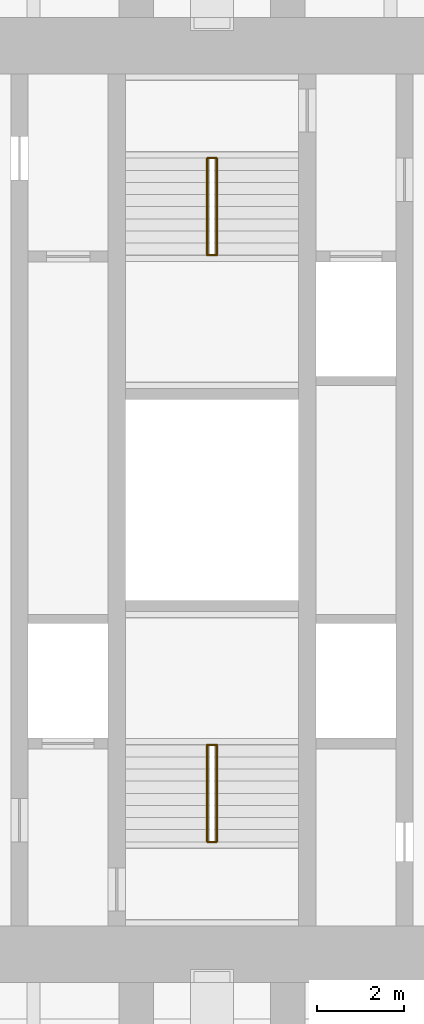
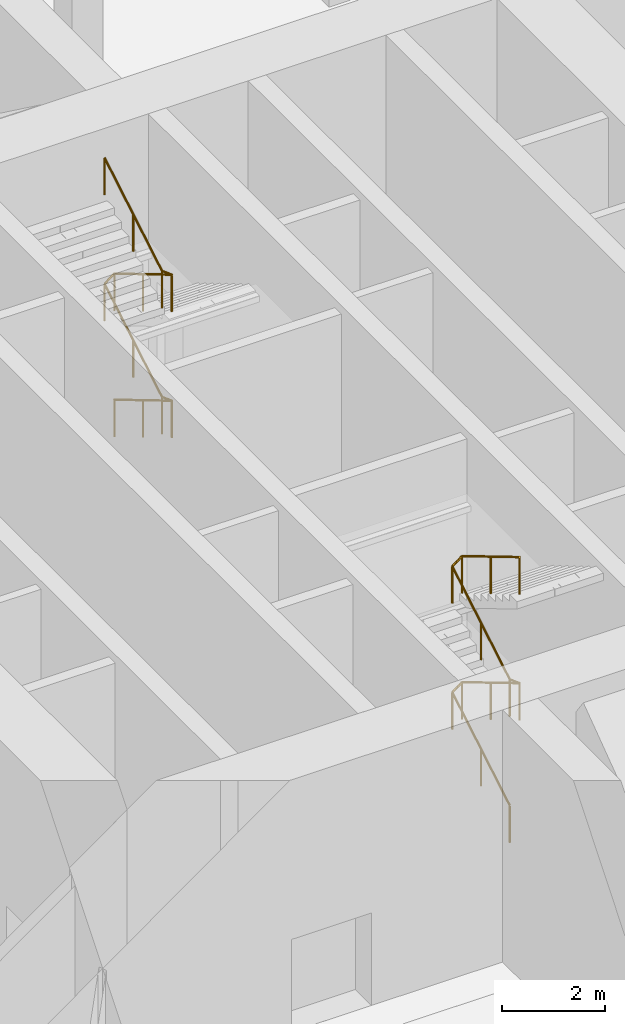
# One storey, part 19 of 19: 2 railings.
"""IFC4 building model written with IfcOpenShell, lengths in metres."""

import ifcopenshell
import ifcopenshell.guid

model = None  # the IFC model being written
_history = None  # IfcOwnerHistory: only IFC2X3 demands one
_inside = {}  # id of a spatial element -> (the spatial element, [elements in it])
_under = {}  # id of a project, library or spatial element -> (it, [spatial elements below it])
_declared = {}  # id of a project -> (the project, [libraries it declares])
_typed = {}  # id of a type object -> (the type object, [elements of that type])
_made_of = {}  # id of a material, layer set ... -> (it, [elements and type objects made of it])


def new_model(schema):
    """Start an empty IFC model of exactly this schema.

    Asked for "IFC4X3", IfcOpenShell would pick the latest addendum, in which some entities
    have other attributes; the version numbers below select the first issue.
    IFC2X3 requires an IfcOwnerHistory on every rooted entity: one is made here for all.
    """
    global model, _history
    if schema == "IFC4X3":
        model = ifcopenshell.file(schema_version=(4, 3, 0, 0))
    else:
        model = ifcopenshell.file(schema=schema)
    _inside.clear()
    _under.clear()
    _declared.clear()
    _typed.clear()
    _made_of.clear()
    _history = None
    if model.schema == "IFC2X3":
        org = make("IfcOrganization", Name="unknown")
        user = make(
            "IfcPersonAndOrganization",
            ThePerson=make("IfcPerson", FamilyName="unknown"),
            TheOrganization=org,
        )
        app = make(
            "IfcApplication",
            ApplicationDeveloper=org,
            Version="unknown",
            ApplicationFullName="unknown",
            ApplicationIdentifier="unknown",
        )
        _history = make(
            "IfcOwnerHistory",
            OwningUser=user,
            OwningApplication=app,
            ChangeAction="ADDED",
            CreationDate=0,
        )
    return model


def make(cls, **values):
    """One entity of the class cls with the attributes given. An attribute that is None is left unset."""
    return model.create_entity(
        cls, **{name: value for name, value in values.items() if value is not None}
    )


def rooted(cls, **values):
    """An entity with a GlobalId (a new one), such as an element, a storey or a relation."""
    return make(cls, GlobalId=ifcopenshell.guid.new(), OwnerHistory=_history, **values)


def si_unit(unit_type, name, prefix=None):
    """IfcSIUnit, for example si_unit("LENGTHUNIT", "METRE", prefix="MILLI")."""
    return make("IfcSIUnit", UnitType=unit_type, Prefix=prefix, Name=name)


def assignment(units):
    """IfcUnitAssignment: the units of a project."""
    return None if units is None else make("IfcUnitAssignment", Units=units)


def point(xyz):
    """IfcCartesianPoint."""
    return None if xyz is None else make("IfcCartesianPoint", Coordinates=xyz)


def direction(xyz):
    """IfcDirection."""
    return None if xyz is None else make("IfcDirection", DirectionRatios=xyz)


def frame(location, z_axis=None, x_axis=None):
    """IfcAxis2Placement3D, a coordinate frame: its origin and axes. An axis left out is left unset."""
    return make(
        "IfcAxis2Placement3D",
        Location=point(location),
        Axis=direction(z_axis),
        RefDirection=direction(x_axis),
    )


def frame_2d(location, x_axis=None):
    """IfcAxis2Placement2D, a coordinate frame in the plane: its origin and x axis."""
    return make(
        "IfcAxis2Placement2D", Location=point(location), RefDirection=direction(x_axis)
    )


def origin():
    """The frame at (0, 0, 0) with its axes left unset."""
    return frame((0.0, 0.0, 0.0))


def origin_2d():
    """The frame at (0, 0) in the plane with its x axis left unset."""
    return frame_2d((0.0, 0.0))


def place(relative_to, where):
    """IfcLocalPlacement: puts the frame where relative to a parent placement (None: the world)."""
    return make(
        "IfcLocalPlacement", PlacementRelTo=relative_to, RelativePlacement=where
    )


def context(
    kind, dimensions, precision=None, world=None, true_north=None, identifier=None
):
    """IfcGeometricRepresentationContext, for example the 3D "Model" context."""
    return make(
        "IfcGeometricRepresentationContext",
        ContextIdentifier=identifier,
        ContextType=kind,
        CoordinateSpaceDimension=dimensions,
        Precision=precision,
        WorldCoordinateSystem=world,
        TrueNorth=true_north,
    )


def subcontext(parent, identifier, kind, view, scale=None):
    """IfcGeometricRepresentationSubContext, for example "Body" below "Model"."""
    return make(
        "IfcGeometricRepresentationSubContext",
        ContextIdentifier=identifier,
        ContextType=kind,
        ParentContext=parent,
        TargetScale=scale,
        TargetView=view,
    )


def project(units=None, contexts=None):
    """IfcProject with its units and contexts."""
    return rooted(
        "IfcProject",
        Name="project",
        RepresentationContexts=contexts,
        UnitsInContext=assignment(units),
    )


def spatial(cls, under=None, at=None, **own):
    """A site, building, storey or space (cls), placed at a placement, below another one or the project."""
    s = rooted(cls, ObjectPlacement=at, **own)
    if under is not None:
        _under.setdefault(under.id(), (under, []))[1].append(s)
    return s


def profile(cls, at=None, kind="AREA", **sizes):
    """A parametric profile (cls). Its sizes go by their IFC names, for example OverallWidth=200.0."""
    return make(cls, ProfileType=kind, Position=at, **sizes)


def circle(**sizes):
    """IfcCircleProfileDef."""
    return profile("IfcCircleProfileDef", **sizes)


def extrude(swept, where, along, depth):
    """IfcExtrudedAreaSolid: the profile swept, set in the frame where, extruded along a direction by depth."""
    return make(
        "IfcExtrudedAreaSolid",
        SweptArea=swept,
        Position=where,
        ExtrudedDirection=direction(along),
        Depth=depth,
    )


def shape(context_of_items, identifier, shape_type, items):
    """IfcShapeRepresentation: the items that make up one representation, for example the "Body"."""
    return make(
        "IfcShapeRepresentation",
        ContextOfItems=context_of_items,
        RepresentationIdentifier=identifier,
        RepresentationType=shape_type,
        Items=items,
    )


def material(Name=None, Category=None):
    """IfcMaterial."""
    return make("IfcMaterial", Name=Name, Category=Category)


def made_of(thing, what):
    """Note that an element or type object is made of a material, layer set ...; save() writes the relation."""
    if what is not None:
        _made_of.setdefault(what.id(), (what, []))[1].append(thing)
    return thing


def type_object(cls, material=None, **own):
    """A type object (cls), such as IfcWallType, which elements share."""
    return made_of(rooted(cls, **own), material)


def element(
    cls,
    number,
    at=None,
    inside=None,
    cuts=None,
    type_object=None,
    material=None,
    context=None,
    identifier="Body",
    shape_type=None,
    held_by="IfcProductDefinitionShape",
    body=None,
    shapes=None,
    **own,
):
    """One element of the class cls, such as IfcWall. Its Tag is "e" and its number.

    at: its placement. inside: the storey or other place that contains it. cuts: it is an
    opening in that element (IfcRelVoidsElement). A single representation is given by context,
    identifier, shape_type and body (its items); several are given by shapes. held_by: the class
    of the entity that holds the representations. save() writes the other relations.
    """
    e = rooted(cls, Tag="e%d" % number, ObjectPlacement=at, **own)
    if body is not None:
        shapes = [shape(context, identifier, shape_type, body)]
    if shapes is not None:
        e.Representation = make(held_by, Representations=shapes)
    if inside is not None:
        _inside.setdefault(inside.id(), (inside, []))[1].append(e)
    if cuts is not None:
        rooted(
            "IfcRelVoidsElement", RelatingBuildingElement=cuts, RelatedOpeningElement=e
        )
    if type_object is not None:
        _typed.setdefault(type_object.id(), (type_object, []))[1].append(e)
    return made_of(e, material)


def aggregate(whole, parts):
    """IfcRelAggregates: a whole, such as a stair, and the parts it consists of."""
    return rooted("IfcRelAggregates", RelatingObject=whole, RelatedObjects=parts)


def save(model, path):
    """Write the relations noted so far, then the file.

    IfcRelAggregates (storeys below a building ...), IfcRelContainedInSpatialStructure (elements
    in a storey), IfcRelDefinesByType, IfcRelAssociatesMaterial and IfcRelDeclares: one each for
    every whole, place, type object, material and project.
    """
    for whole, parts in _under.values():
        aggregate(whole, parts)
    for where, things in _inside.values():
        rooted(
            "IfcRelContainedInSpatialStructure",
            RelatedElements=things,
            RelatingStructure=where,
        )
    for kind, things in _typed.values():
        rooted("IfcRelDefinesByType", RelatedObjects=things, RelatingType=kind)
    for what, things in _made_of.values():
        rooted("IfcRelAssociatesMaterial", RelatedObjects=things, RelatingMaterial=what)
    for by, libraries in _declared.values():
        rooted("IfcRelDeclares", RelatingContext=by, RelatedDefinitions=libraries)
    model.write(path)


model = new_model("IFC4")

# Units and contexts
model_context = context("Model", 3, precision=1e-05, world=origin(), true_north=direction((0.0, 1.0)))
body_context = subcontext(model_context, "Body", "Model", "MODEL_VIEW")
ifc_project = project(units=[si_unit("LENGTHUNIT", "METRE"), si_unit("AREAUNIT", "SQUARE_METRE"), si_unit("VOLUMEUNIT", "CUBIC_METRE"), si_unit("PLANEANGLEUNIT", "RADIAN"), si_unit("MASSUNIT", "GRAM", prefix="KILO")], contexts=[model_context])

# Site, building, storey
site_placement = place(None, origin())
site = spatial("IfcSite", under=ifc_project, at=site_placement, CompositionType="ELEMENT")
building_placement = place(site_placement, origin())
building = spatial("IfcBuilding", under=site, at=building_placement, Name="Mizan Broadcast Tower", CompositionType="ELEMENT")
storey_placement = place(building_placement, frame((0.0, 0.0, 37.5)))
storey = spatial("IfcBuildingStorey", under=building, at=storey_placement, Name="L06", CompositionType="ELEMENT", Elevation=37.5)

# Railings
ifc_material = material(Name="Stainless steel", Category="steel")
railing_type = type_object("IfcRailingType", Name="HANDRAIL 50", PredefinedType="HANDRAIL", material=ifc_material)
railing_1_placement = place(storey_placement, frame((-0.110107421875, -7.89990234375, 0.166748046875)))
element("IfcRailing", 1, at=railing_1_placement, inside=storey, type_object=railing_type, Name="Stair A handrail", PredefinedType="HANDRAIL", context=body_context, shape_type="SweptSolid", body=[
    extrude(circle(Radius=0.02392578125, at=origin_2d()), frame((0.0, 0.0, 0.8759765625), z_axis=(0.0, 0.859305625298, 0.511462454469), x_axis=(-1.0, 0.0, 0.0)), (0.0, 0.0, 1.0), 2.606689453125),
    extrude(circle(Radius=0.02392578125, at=origin_2d()), frame((0.0, 2.239990234375, 2.208984375), z_axis=(0.7972339343, 0.0, 0.60367048462), x_axis=(0.0, 1.0, 0.0)), (0.0, 0.0, 1.0), 0.276123046875),
    extrude(circle(Radius=0.02392578125, at=origin_2d()), frame((0.22021484375, 2.239990234375, 2.3759765625), z_axis=(0.0, -0.859305625298, 0.511462454469), x_axis=(1.0, 0.0, 0.0)), (0.0, 0.0, 1.0), 2.606689453125),
    extrude(circle(Radius=0.02392578125, at=origin_2d()), frame((0.22021484375, 0.0, 3.708984375), z_axis=(-0.7972339343, 0.0, 0.60367048462), x_axis=(0.0, -1.0, 0.0)), (0.0, 0.0, 1.0), 0.276123046875),
    extrude(circle(Radius=0.02392578125, at=origin_2d()), frame((0.0, 0.0, 3.8759765625), z_axis=(0.0, 0.859305625298, 0.511462454469), x_axis=(-1.0, 0.0, 0.0)), (0.0, 0.0, 1.0), 2.606689453125),
    extrude(circle(Radius=0.02392578125, at=origin_2d()), frame((0.0, 2.239990234375, 5.208984375), z_axis=(0.7972339343, 0.0, 0.60367048462), x_axis=(0.0, 1.0, 0.0)), (0.0, 0.0, 1.0), 0.276123046875),
    extrude(circle(Radius=0.02392578125, at=origin_2d()), frame((0.22021484375, 2.239990234375, 5.3759765625), z_axis=(0.0, -0.859305625298, 0.511462454469), x_axis=(1.0, 0.0, 0.0)), (0.0, 0.0, 1.0), 2.606689453125),
    extrude(circle(Radius=0.02099609375, at=origin_2d()), origin(), (0.0, 0.0, 1.0), 0.851806640625),
    extrude(circle(Radius=0.02099609375, at=origin_2d()), frame((0.0, 1.1201171875, 0.66650390625)), (0.0, 0.0, 1.0), 0.851806640625),
    extrude(circle(Radius=0.02099609375, at=origin_2d()), frame((0.0, 2.239990234375, 1.333251953125)), (0.0, 0.0, 1.0), 0.851806640625),
    extrude(circle(Radius=0.02099609375, at=origin_2d()), frame((0.22021484375, 2.239990234375, 1.5)), (0.0, 0.0, 1.0), 0.851806640625),
    extrude(circle(Radius=0.02099609375, at=origin_2d()), frame((0.22021484375, 1.1201171875, 2.16650390625)), (0.0, 0.0, 1.0), 0.851806640625),
    extrude(circle(Radius=0.02099609375, at=origin_2d()), frame((0.22021484375, 0.0, 2.833251953125)), (0.0, 0.0, 1.0), 0.851806640625),
    extrude(circle(Radius=0.02099609375, at=origin_2d()), frame((0.0, 0.0, 3.0)), (0.0, 0.0, 1.0), 0.851806640625),
    extrude(circle(Radius=0.02099609375, at=origin_2d()), frame((0.0, 1.1201171875, 3.66650390625)), (0.0, 0.0, 1.0), 0.851806640625),
    extrude(circle(Radius=0.02099609375, at=origin_2d()), frame((0.0, 2.239990234375, 4.333251953125)), (0.0, 0.0, 1.0), 0.851806640625),
    extrude(circle(Radius=0.02099609375, at=origin_2d()), frame((0.22021484375, 2.239990234375, 4.5)), (0.0, 0.0, 1.0), 0.851806640625),
    extrude(circle(Radius=0.02099609375, at=origin_2d()), frame((0.22021484375, 1.1201171875, 5.16650390625)), (0.0, 0.0, 1.0), 0.851806640625),
    extrude(circle(Radius=0.02099609375, at=origin_2d()), frame((0.22021484375, 0.0, 5.833251953125)), (0.0, 0.0, 1.0), 0.851806640625),
])
railing_2_placement = place(storey_placement, frame((0.110107421875, 7.89990234375, 0.166748046875)))
element("IfcRailing", 2, at=railing_2_placement, inside=storey, type_object=railing_type, Name="Stair B handrail", PredefinedType="HANDRAIL", context=body_context, shape_type="SweptSolid", body=[
    extrude(circle(Radius=0.02392578125, at=origin_2d()), frame((0.0, 0.0, 0.8759765625), z_axis=(0.0, -0.859305625298, 0.511462454469), x_axis=(1.0, 0.0, 0.0)), (0.0, 0.0, 1.0), 2.606689453125),
    extrude(circle(Radius=0.02392578125, at=origin_2d()), frame((0.0, -2.239990234375, 2.208984375), z_axis=(-0.7972339343, 0.0, 0.60367048462), x_axis=(0.0, -1.0, 0.0)), (0.0, 0.0, 1.0), 0.276123046875),
    extrude(circle(Radius=0.02392578125, at=origin_2d()), frame((-0.22021484375, -2.239990234375, 2.3759765625), z_axis=(0.0, 0.859305625298, 0.511462454469), x_axis=(-1.0, 0.0, 0.0)), (0.0, 0.0, 1.0), 2.606689453125),
    extrude(circle(Radius=0.02392578125, at=origin_2d()), frame((-0.22021484375, 0.0, 3.708984375), z_axis=(0.7972339343, 0.0, 0.60367048462), x_axis=(0.0, 1.0, 0.0)), (0.0, 0.0, 1.0), 0.276123046875),
    extrude(circle(Radius=0.02392578125, at=origin_2d()), frame((0.0, 0.0, 3.8759765625), z_axis=(0.0, -0.859305625298, 0.511462454469), x_axis=(1.0, 0.0, 0.0)), (0.0, 0.0, 1.0), 2.606689453125),
    extrude(circle(Radius=0.02392578125, at=origin_2d()), frame((0.0, -2.239990234375, 5.208984375), z_axis=(-0.7972339343, 0.0, 0.60367048462), x_axis=(0.0, -1.0, 0.0)), (0.0, 0.0, 1.0), 0.276123046875),
    extrude(circle(Radius=0.02392578125, at=origin_2d()), frame((-0.22021484375, -2.239990234375, 5.3759765625), z_axis=(0.0, 0.859305625298, 0.511462454469), x_axis=(-1.0, 0.0, 0.0)), (0.0, 0.0, 1.0), 2.606689453125),
    extrude(circle(Radius=0.02099609375, at=origin_2d()), origin(), (0.0, 0.0, 1.0), 0.851806640625),
    extrude(circle(Radius=0.02099609375, at=origin_2d()), frame((0.0, -1.1201171875, 0.66650390625)), (0.0, 0.0, 1.0), 0.851806640625),
    extrude(circle(Radius=0.02099609375, at=origin_2d()), frame((0.0, -2.239990234375, 1.333251953125)), (0.0, 0.0, 1.0), 0.851806640625),
    extrude(circle(Radius=0.02099609375, at=origin_2d()), frame((-0.22021484375, -2.239990234375, 1.5)), (0.0, 0.0, 1.0), 0.851806640625),
    extrude(circle(Radius=0.02099609375, at=origin_2d()), frame((-0.22021484375, -1.1201171875, 2.16650390625)), (0.0, 0.0, 1.0), 0.851806640625),
    extrude(circle(Radius=0.02099609375, at=origin_2d()), frame((-0.22021484375, 0.0, 2.833251953125)), (0.0, 0.0, 1.0), 0.851806640625),
    extrude(circle(Radius=0.02099609375, at=origin_2d()), frame((0.0, 0.0, 3.0)), (0.0, 0.0, 1.0), 0.851806640625),
    extrude(circle(Radius=0.02099609375, at=origin_2d()), frame((0.0, -1.1201171875, 3.66650390625)), (0.0, 0.0, 1.0), 0.851806640625),
    extrude(circle(Radius=0.02099609375, at=origin_2d()), frame((0.0, -2.239990234375, 4.333251953125)), (0.0, 0.0, 1.0), 0.851806640625),
    extrude(circle(Radius=0.02099609375, at=origin_2d()), frame((-0.22021484375, -2.239990234375, 4.5)), (0.0, 0.0, 1.0), 0.851806640625),
    extrude(circle(Radius=0.02099609375, at=origin_2d()), frame((-0.22021484375, -1.1201171875, 5.16650390625)), (0.0, 0.0, 1.0), 0.851806640625),
    extrude(circle(Radius=0.02099609375, at=origin_2d()), frame((-0.22021484375, 0.0, 5.833251953125)), (0.0, 0.0, 1.0), 0.851806640625),
])

save(model, "model.ifc")
